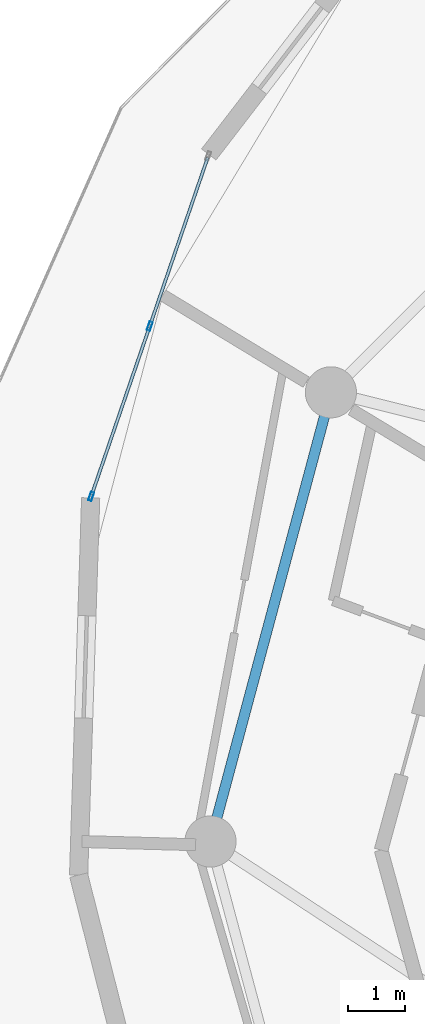
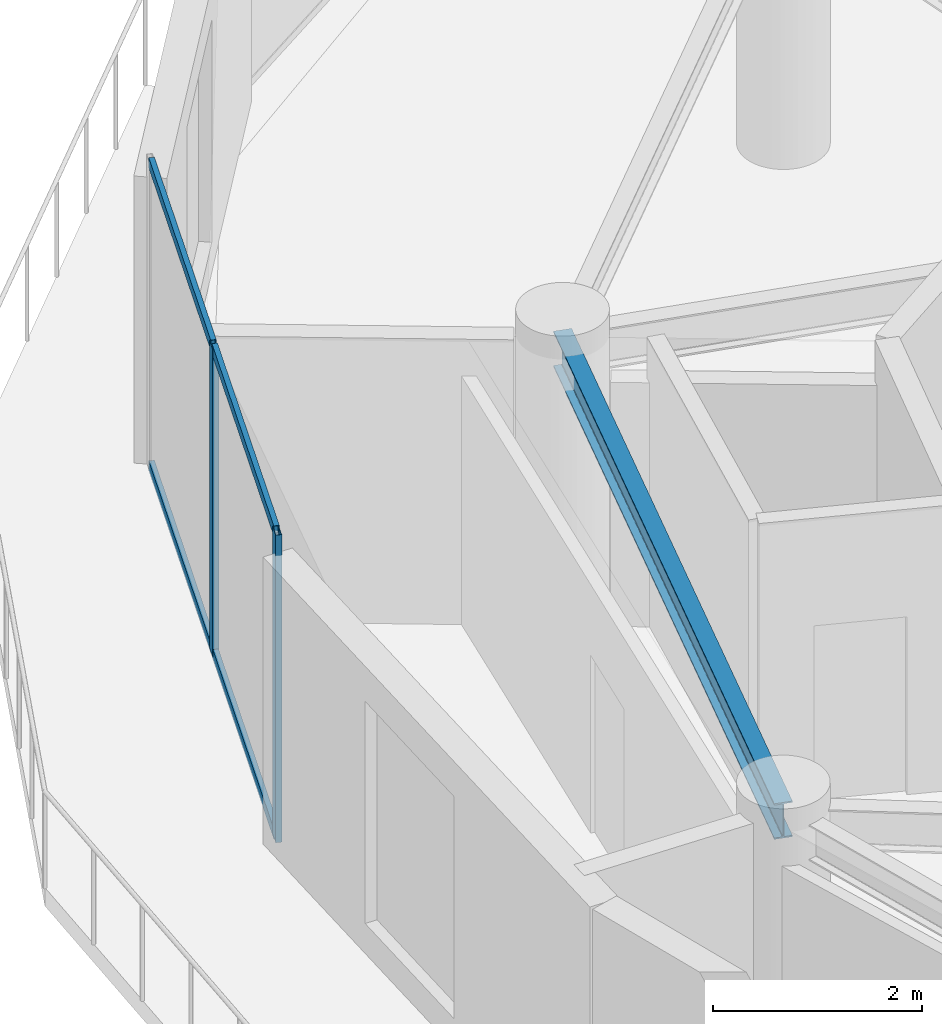
# One storey, part 7 of 19: 6 members, 1 beam, 1 element without a shape of its own.
"""IFC4 building model written with IfcOpenShell, lengths in metres."""

from ifc_helpers import new_model, si_unit, direction, frame, origin, origin_2d, place, context, subcontext, project, spatial, hollow_rectangle, i_section, extrude, source, transform, mapped, material, layer, layer_set, material_profile, profile_set, type_object, element, aggregate, save


model = new_model("IFC4")

# Units and contexts
model_context = context("Model", 3, precision=1e-05, world=origin(), true_north=direction((0.0, 1.0)))
body_context = subcontext(model_context, "Body", "Model", "MODEL_VIEW")
ifc_project = project(units=[si_unit("LENGTHUNIT", "METRE"), si_unit("AREAUNIT", "SQUARE_METRE"), si_unit("VOLUMEUNIT", "CUBIC_METRE"), si_unit("PLANEANGLEUNIT", "RADIAN"), si_unit("MASSUNIT", "GRAM", prefix="KILO")], contexts=[model_context])

# Site, building, storey
site_placement = place(None, origin())
site = spatial("IfcSite", under=ifc_project, at=site_placement, CompositionType="ELEMENT")
building_placement = place(site_placement, origin())
building = spatial("IfcBuilding", under=site, at=building_placement, Name="Solvirekh Grand Hotel", CompositionType="ELEMENT")
storey_placement = place(building_placement, frame((0.0, 0.0, 212.800048828125)))
storey = spatial("IfcBuildingStorey", under=building, at=storey_placement, Name="L55", CompositionType="ELEMENT", Elevation=212.800048828125)

# Beam
ifc_material_1 = material(Name="Steel S355", Category="steel")
ifc_material_profile_1 = material_profile(ifc_material_1, i_section(OverallWidth=0.180908203125, OverallDepth=0.4169921875, WebThickness=0.010009765625, FlangeThickness=0.01611328125, FilletRadius=0.011962890625, at=origin_2d()), Name="W410X85")
ifc_profile_set_1 = profile_set([ifc_material_profile_1], Name="Steel S355")
beam_type = type_object("IfcBeamType", Name="Spandrel_Ring_W410", PredefinedType="SPANDREL", material=ifc_profile_set_1)
beam_placement = place(storey_placement, frame((-13.68310546875, 7.89990234375, 3.15185546875), z_axis=(-0.258838541915, -0.965920601923, 0.0), x_axis=(0.965920601923, -0.258838541915, 0.0)))
element("IfcBeam", 1, at=beam_placement, inside=storey, type_object=beam_type, Name="L55 perimeter spandrel beam 6", PredefinedType="SPANDREL", context=body_context, shape_type="SweptSolid", body=[
    extrude(i_section(OverallWidth=0.180908203125, OverallDepth=0.4169921875, WebThickness=0.010009765625, FlangeThickness=0.01611328125, FilletRadius=0.011962890625, at=origin_2d()), origin(), (0.0, 0.0, 1.0), 8.1787109375),
])

# Curtain wall, members
ifc_material_2 = material(Name="Anodized Bronze Aluminium 6063-T6", Category="aluminium")
ifc_layer = layer(ifc_material_2, 0.159912109375)
ifc_layer_set = layer_set([ifc_layer], Name="Anodized Bronze Aluminium 6063-T6")
curtain_wall_type = type_object("IfcCurtainWallType", Name="CW_Sys4_HighZoneFlushBronzeCW", PredefinedType="NOTDEFINED", material=ifc_layer_set)
curtain_wall_placement = place(storey_placement, origin())
curtain_wall = element("IfcCurtainWall", 2, at=curtain_wall_placement, inside=storey, type_object=curtain_wall_type, Name="L55 unitised bronze-glass curtain wall CW-L55-C13", PredefinedType="NOTDEFINED")
ifc_material_profile_2 = material_profile(ifc_material_2, hollow_rectangle(XDim=0.054931640625, YDim=0.1201171875, WallThickness=0.00390625, at=origin_2d()), Name="ALU RHS 120X55X4")
ifc_profile_set_2 = profile_set([ifc_material_profile_2], Name="Anodized Bronze Aluminium 6063-T6")
member_type_1 = type_object("IfcMemberType", Name="CWTransom_Sys4", PredefinedType="USERDEFINED", material=ifc_profile_set_2)
shared_shape_1 = source(origin(), body_context, "Body", "SweptSolid", [
    extrude(hollow_rectangle(XDim=0.054931640625, YDim=0.1201171875, WallThickness=0.00390625, at=origin_2d()), origin(), (0.0, 0.0, 1.0), 3.104736328125),
])
member_1_placement = place(storey_placement, frame((-15.849609375, 12.02734375, 0.02734375), z_axis=(-0.325154487631, -0.945660911307, 0.0), x_axis=(0.945660911307, -0.325154487631, 0.0)))
member_1 = element("IfcMember", 3, at=member_1_placement, type_object=member_type_1, Name="U04 transom 1.1", ObjectType="TRANSOM", PredefinedType="USERDEFINED", context=body_context, shape_type="MappedRepresentation", body=[
    mapped(shared_shape_1, transform((0.0, 0.0, 0.0), x_axis=(1.0, 0.0, 0.0), y_axis=(0.0, 1.0, 0.0), z_axis=(0.0, 0.0, 1.0), scale=1.0)),
])
member_2_placement = place(storey_placement, frame((-15.849609375, 12.02734375, 3.572509765625), z_axis=(-0.325154487631, -0.945660911307, 0.0), x_axis=(0.945660911307, -0.325154487631, 0.0)))
member_2 = element("IfcMember", 4, at=member_2_placement, type_object=member_type_1, Name="U04 transom 1.2", ObjectType="TRANSOM", PredefinedType="USERDEFINED", context=body_context, shape_type="MappedRepresentation", body=[
    mapped(shared_shape_1, transform((0.0, 0.0, 0.0), x_axis=(1.0, 0.0, 0.0), y_axis=(0.0, 1.0, 0.0), z_axis=(0.0, 0.0, 1.0), scale=1.0)),
])
member_3_placement = place(storey_placement, frame((-16.878662109375, 9.03466796875, 0.02734375), z_axis=(-0.325224805946, -0.94563673025, 0.0), x_axis=(0.94563673025, -0.325224805946, 0.0)))
member_3 = element("IfcMember", 5, at=member_3_placement, type_object=member_type_1, Name="U04 transom 2.1", ObjectType="TRANSOM", PredefinedType="USERDEFINED", context=body_context, shape_type="MappedRepresentation", body=[
    mapped(shared_shape_1, transform((0.0, 0.0, 0.0), x_axis=(1.0, 0.0, 0.0), y_axis=(0.0, 1.0, 0.0), z_axis=(0.0, 0.0, 1.0), scale=1.0)),
])
member_4_placement = place(storey_placement, frame((-16.878662109375, 9.03466796875, 3.572509765625), z_axis=(-0.325224805946, -0.94563673025, 0.0), x_axis=(0.94563673025, -0.325224805946, 0.0)))
member_4 = element("IfcMember", 6, at=member_4_placement, type_object=member_type_1, Name="U04 transom 2.2", ObjectType="TRANSOM", PredefinedType="USERDEFINED", context=body_context, shape_type="MappedRepresentation", body=[
    mapped(shared_shape_1, transform((0.0, 0.0, 0.0), x_axis=(1.0, 0.0, 0.0), y_axis=(0.0, 1.0, 0.0), z_axis=(0.0, 0.0, 1.0), scale=1.0)),
])
ifc_material_profile_3 = material_profile(ifc_material_2, hollow_rectangle(XDim=0.06005859375, YDim=0.159912109375, WallThickness=0.0048828125, at=origin_2d()), Name="ALU RHS 160X60X5")
ifc_profile_set_3 = profile_set([ifc_material_profile_3], Name="Anodized Bronze Aluminium 6063-T6")
member_type_2 = type_object("IfcMemberType", Name="CWMullion_Sys4", PredefinedType="MULLION", material=ifc_profile_set_3)
shared_shape_2 = source(origin(), body_context, "Body", "SweptSolid", [
    extrude(hollow_rectangle(XDim=0.06005859375, YDim=0.159912109375, WallThickness=0.0048828125, at=origin_2d()), origin(), (0.0, 0.0, 1.0), 3.599853515625),
])
member_5_placement = place(storey_placement, frame((-16.868896484375, 9.06298828125, 0.0), z_axis=(0.0, 0.0, 1.0), x_axis=(0.945635465458, -0.325228483483, 0.0)))
member_5 = element("IfcMember", 7, at=member_5_placement, type_object=member_type_2, Name="U04 mullion 2", PredefinedType="MULLION", context=body_context, shape_type="MappedRepresentation", body=[
    mapped(shared_shape_2, transform((0.0, 0.0, 0.0), x_axis=(1.0, 0.0, 0.0), y_axis=(0.0, 1.0, 0.0), z_axis=(0.0, 0.0, 1.0), scale=1.0)),
])
member_6_placement = place(storey_placement, frame((-17.898193359375, 6.0703125, 0.0), z_axis=(0.0, 0.0, 1.0), x_axis=(0.945635465458, -0.325228483483, 0.0)))
member_6 = element("IfcMember", 8, at=member_6_placement, type_object=member_type_2, Name="U04 mullion 3", PredefinedType="MULLION", context=body_context, shape_type="MappedRepresentation", body=[
    mapped(shared_shape_2, transform((0.0, 0.0, 0.0), x_axis=(1.0, 0.0, 0.0), y_axis=(0.0, 1.0, 0.0), z_axis=(0.0, 0.0, 1.0), scale=1.0)),
])
aggregate(curtain_wall, [member_5, member_6, member_1, member_2, member_3, member_4])

save(model, "model.ifc")
